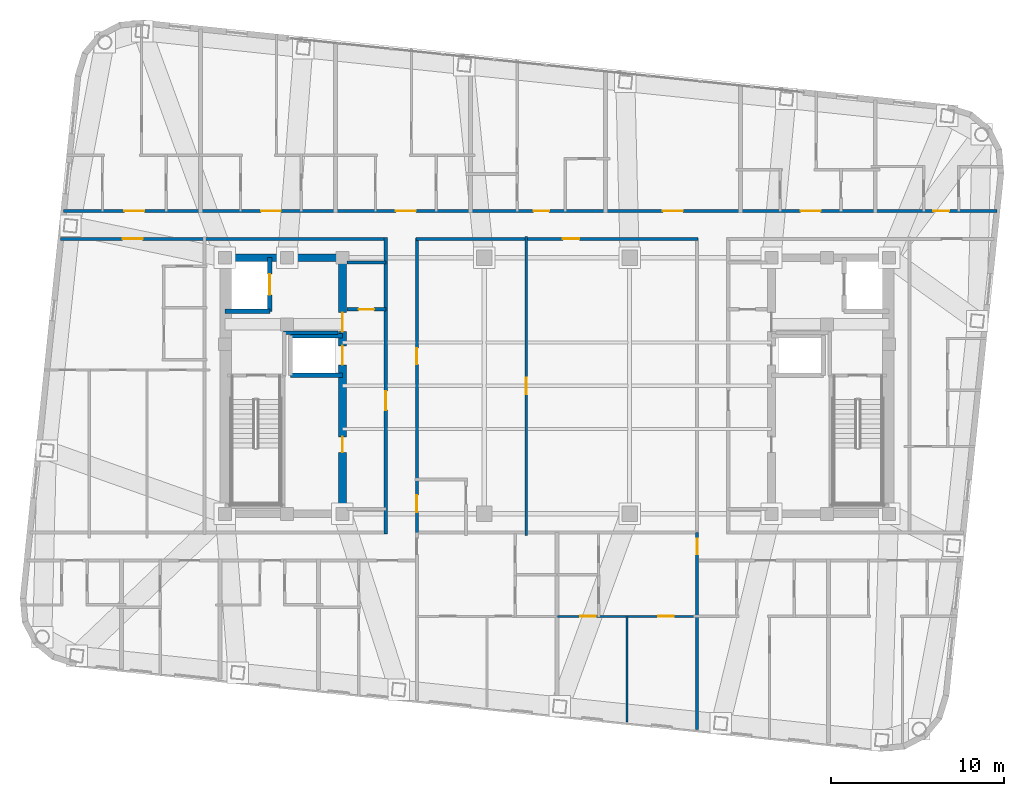
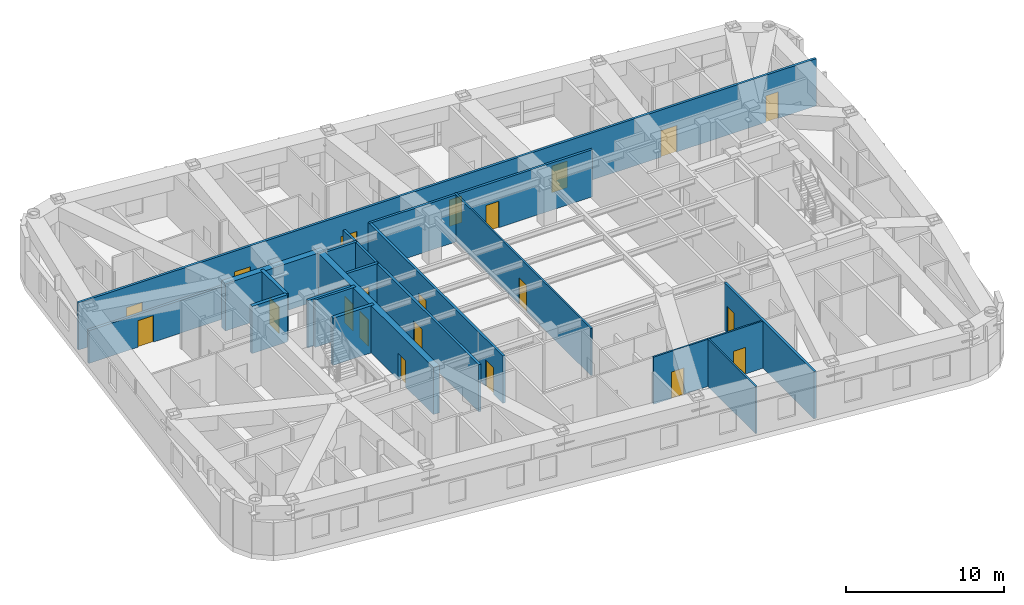
# One storey, part 10 of 16: 21 doors, 18 walls, 21 openings.
"""IFC4 building model written with IfcOpenShell, lengths in metres."""

from ifc_helpers import new_model, si_unit, direction, frame, frame_2d, origin, place, context, subcontext, project, spatial, rectangle, extrude, material, layer, layer_set, type_object, element, fill, save


model = new_model("IFC4")

# Units and contexts
model_context = context("Model", 3, precision=1e-05, world=origin(), true_north=direction((0.0, 1.0)))
body_context = subcontext(model_context, "Body", "Model", "MODEL_VIEW")
ifc_project = project(units=[si_unit("LENGTHUNIT", "METRE"), si_unit("AREAUNIT", "SQUARE_METRE"), si_unit("VOLUMEUNIT", "CUBIC_METRE"), si_unit("PLANEANGLEUNIT", "RADIAN"), si_unit("MASSUNIT", "GRAM", prefix="KILO")], contexts=[model_context])

# Site, building, storey
site_placement = place(None, origin())
site = spatial("IfcSite", under=ifc_project, at=site_placement, CompositionType="ELEMENT")
building_placement = place(site_placement, origin())
building = spatial("IfcBuilding", under=site, at=building_placement, Name="Voryun Gate Residences", CompositionType="ELEMENT")
storey_placement = place(building_placement, frame((0.0, 0.0, 260.0)))
storey = spatial("IfcBuildingStorey", under=building, at=storey_placement, Name="L64", CompositionType="ELEMENT", Elevation=260.0)

# Wall
ifc_material_1 = material(Name="Concrete C50/60", Category="concrete")
ifc_layer_1 = layer(ifc_material_1, 0.449951171875, Name="CW_CORE_450")
ifc_layer_set_1 = layer_set([ifc_layer_1], Name="Concrete C50/60")
wall_type_1 = type_object("IfcWallType", Name="CW_CORE_450", PredefinedType="SHEAR", material=ifc_layer_set_1)
wall_1_placement = place(storey_placement, frame((-19.425048828125, 7.39990234375, 0.0), z_axis=(0.0, 0.0, 1.0), x_axis=(1.0, 0.0, 0.0)))
element("IfcWall", 1, at=wall_1_placement, inside=storey, type_object=wall_type_1, Name="L64 Core shear wall CW-L64-WN", PredefinedType="SHEAR", context=body_context, shape_type="SweptSolid", body=[
    extrude(rectangle(XDim=7.25, YDim=0.449951171875, at=frame_2d((3.625, 0.0))), origin(), (0.0, 0.0, 1.0), 3.64990234375),
])

# Wall, openings, doors
wall_2_placement = place(storey_placement, frame((-12.39990234375, -7.39990234375, 0.0), z_axis=(0.0, 0.0, 1.0), x_axis=(0.0, 1.0, 0.0)))
wall_2 = element("IfcWall", 2, at=wall_2_placement, inside=storey, type_object=wall_type_1, Name="L64 Core shear wall CW-L64-WE", PredefinedType="SHEAR", context=body_context, shape_type="SweptSolid", body=[
    extrude(rectangle(XDim=14.7998046875, YDim=0.449951171875, at=frame_2d((7.39990234375, 0.0))), origin(), (0.0, 0.0, 1.0), 3.64990234375),
])
opening_1_placement = place(wall_2_placement, frame((8.60009765625, 0.0, 0.0)))
opening_1 = element("IfcOpeningElement", 3, at=opening_1_placement, cuts=wall_2, Name="Opening LD2", PredefinedType="OPENING", context=body_context, shape_type="SweptSolid", body=[
    extrude(rectangle(XDim=1.10009765625, YDim=2.050048828125, at=frame_2d((0.550048828125, 1.02490234375))), frame((0.0, 0.235107421875, 0.0), z_axis=(0.0, -1.0, 0.0), x_axis=(1.0, 0.0, 0.0)), (0.0, 0.0, 1.0), 0.469970703125),
])
opening_2_placement = place(wall_2_placement, frame((10.530029296875, 0.0, 0.0)))
opening_2 = element("IfcOpeningElement", 4, at=opening_2_placement, cuts=wall_2, Name="Opening D-FD60-2", PredefinedType="OPENING", context=body_context, shape_type="SweptSolid", body=[
    extrude(rectangle(XDim=1.10009765625, YDim=2.050048828125, at=frame_2d((0.550048828125, 1.02490234375))), frame((0.0, 0.235107421875, 0.0), z_axis=(0.0, -1.0, 0.0), x_axis=(1.0, 0.0, 0.0)), (0.0, 0.0, 1.0), 0.469970703125),
])
opening_3_placement = place(wall_2_placement, frame((3.550048828125, 0.0, 0.0)))
opening_3 = element("IfcOpeningElement", 5, at=opening_3_placement, cuts=wall_2, Name="Opening D-FD60-4", PredefinedType="OPENING", context=body_context, shape_type="SweptSolid", body=[
    extrude(rectangle(XDim=0.89990234375, YDim=2.050048828125, at=frame_2d((0.449951171875, 1.02490234375))), frame((0.0, 0.235107421875, 0.0), z_axis=(0.0, -1.0, 0.0), x_axis=(1.0, 0.0, 0.0)), (0.0, 0.0, 1.0), 0.469970703125),
])
ifc_material_2 = material(Name="Painted steel fire door", Category="steel")
door_type_1 = type_object("IfcDoorType", Name="DR_FD60_FFLOB_1100", OperationType="NOTDEFINED", PredefinedType="DOOR", material=ifc_material_2)
door_1_placement = place(opening_2_placement, origin())
door_1 = element("IfcDoor", 6, at=door_1_placement, inside=storey, type_object=door_type_1, Name="Door DR-L64-CLOB-W", OperationType="SINGLE_SWING_LEFT", OverallHeight=2.050048828125, OverallWidth=1.10009765625, PredefinedType="DOOR", context=body_context, shape_type="SweptSolid", body=[
    extrude(rectangle(XDim=1.10009765625, YDim=2.050048828125, at=frame_2d((0.550048828125, 1.02490234375))), frame((0.0, 0.02490234375, 0.0), z_axis=(0.0, -1.0, 0.0), x_axis=(1.0, 0.0, 0.0)), (0.0, 0.0, 1.0), 0.050048828125),
])
fill(opening_2, door_1)
ifc_material_3 = material(Name="Painted steel fire door", Category="steel")
door_type_2 = type_object("IfcDoorType", Name="DR_FD60_RISER_900", OperationType="NOTDEFINED", PredefinedType="DOOR", material=ifc_material_3)
door_2_placement = place(opening_3_placement, origin())
door_2 = element("IfcDoor", 7, at=door_2_placement, inside=storey, type_object=door_type_2, Name="Door DR-L64-RECW-HI", OperationType="SINGLE_SWING_LEFT", OverallHeight=2.050048828125, OverallWidth=0.89990234375, PredefinedType="DOOR", context=body_context, shape_type="SweptSolid", body=[
    extrude(rectangle(XDim=0.89990234375, YDim=2.050048828125, at=frame_2d((0.449951171875, 1.02490234375))), frame((0.0, 0.02490234375, 0.0), z_axis=(0.0, -1.0, 0.0), x_axis=(1.0, 0.0, 0.0)), (0.0, 0.0, 1.0), 0.050048828125),
])
fill(opening_3, door_2)
ifc_material_4 = material(Name="Anodised aluminium", Category="aluminium")
door_type_3 = type_object("IfcDoorType", Name="DR_LD_PASS_1100", OperationType="NOTDEFINED", PredefinedType="DOOR", material=ifc_material_4)
door_3_placement = place(opening_1_placement, origin())
door_3 = element("IfcDoor", 8, at=door_3_placement, inside=storey, type_object=door_type_3, Name="Lift EL-P7 sliding landing door L64", OperationType="SLIDING_TO_LEFT", OverallHeight=2.050048828125, OverallWidth=1.10009765625, PredefinedType="DOOR", context=body_context, shape_type="SweptSolid", body=[
    extrude(rectangle(XDim=1.10009765625, YDim=2.050048828125, at=frame_2d((0.550048828125, 1.02490234375))), frame((0.0, 0.02490234375, 0.0), z_axis=(0.0, -1.0, 0.0), x_axis=(1.0, 0.0, 0.0)), (0.0, 0.0, 1.0), 0.050048828125),
])
fill(opening_1, door_3)

# Wall
ifc_material_5 = material(Name="Gypsum acoustic fireboard")
ifc_layer_2 = layer(ifc_material_5, 0.179931640625, Name="W_CORR_RATED_180")
ifc_layer_set_2 = layer_set([ifc_layer_2], Name="Gypsum acoustic fireboard")
wall_type_2 = type_object("IfcWallType", Name="W_CORR_RATED_180", PredefinedType="PARTITIONING", material=ifc_layer_set_2)
wall_3_placement = place(storey_placement, frame((-12.14990234375, 7.1201171875, 0.0), z_axis=(0.0, 0.0, 1.0), x_axis=(1.0, 0.0, 0.0)))
element("IfcWall", 9, at=wall_3_placement, inside=storey, type_object=wall_type_2, Name="Partition wall WP-L64-PLBN-W", PredefinedType="PARTITIONING", context=body_context, shape_type="SweptSolid", body=[
    extrude(rectangle(XDim=2.27001953125, YDim=0.179931640625, at=frame_2d((1.135009765625, 0.0))), origin(), (0.0, 0.0, 1.0), 3.64990234375),
])

# Wall, opening, door
wall_4_placement = place(storey_placement, frame((-9.89990234375, -8.580078125, 0.0), z_axis=(0.0, 0.0, 1.0), x_axis=(0.0, 1.0, 0.0)))
wall_4 = element("IfcWall", 10, at=wall_4_placement, inside=storey, type_object=wall_type_2, Name="Partition wall WP-L64-PLBW-FULL", PredefinedType="PARTITIONING", context=body_context, shape_type="SweptSolid", body=[
    extrude(rectangle(XDim=17.16015625, YDim=0.179931640625, at=frame_2d((8.580078125, 0.0))), origin(), (0.0, 0.0, 1.0), 3.64990234375),
])
opening_4_placement = place(wall_4_placement, frame((7.172119140625, 0.0, 0.0)))
opening_4 = element("IfcOpeningElement", 11, at=opening_4_placement, cuts=wall_4, Name="Opening D-FD60-2", PredefinedType="OPENING", context=body_context, shape_type="SweptSolid", body=[
    extrude(rectangle(XDim=1.10009765625, YDim=2.050048828125, at=frame_2d((0.550048828125, 1.02490234375))), frame((0.0, 0.099853515625, 0.0), z_axis=(0.0, -1.0, 0.0), x_axis=(1.0, 0.0, 0.0)), (0.0, 0.0, 1.0), 0.199951171875),
])
door_4_placement = place(opening_4_placement, origin())
door_4 = element("IfcDoor", 12, at=door_4_placement, inside=storey, type_object=door_type_1, Name="Door DR-L64-PLBW-COR", OperationType="SINGLE_SWING_LEFT", OverallHeight=2.050048828125, OverallWidth=1.10009765625, PredefinedType="DOOR", context=body_context, shape_type="SweptSolid", body=[
    extrude(rectangle(XDim=1.10009765625, YDim=2.050048828125, at=frame_2d((0.550048828125, 1.02490234375))), frame((0.0, 0.02490234375, 0.0), z_axis=(0.0, -1.0, 0.0), x_axis=(1.0, 0.0, 0.0)), (0.0, 0.0, 1.0), 0.050048828125),
])
fill(opening_4, door_4)

wall_5_placement = place(storey_placement, frame((-28.685546875, 8.489990234375, 0.0), z_axis=(0.0, 0.0, 1.0), x_axis=(1.0, 0.0, 0.0)))
wall_5 = element("IfcWall", 13, at=wall_5_placement, inside=storey, type_object=wall_type_2, Name="Partition wall WP-L64-CWING-WN", PredefinedType="PARTITIONING", context=body_context, shape_type="SweptSolid", body=[
    extrude(rectangle(XDim=18.8056640625, YDim=0.179931640625, at=frame_2d((9.40283203125, 0.0))), origin(), (0.0, 0.0, 1.0), 2.5400390625),
])
opening_5_placement = place(wall_5_placement, frame((3.577392578125, 0.0, 0.0)))
opening_5 = element("IfcOpeningElement", 14, at=opening_5_placement, cuts=wall_5, Name="Opening D-UNIT-1", PredefinedType="OPENING", context=body_context, shape_type="SweptSolid", body=[
    extrude(rectangle(XDim=1.14990234375, YDim=2.050048828125, at=frame_2d((0.574951171875, 1.02490234375))), frame((0.0, 0.099853515625, 0.0), z_axis=(0.0, -1.0, 0.0), x_axis=(1.0, 0.0, 0.0)), (0.0, 0.0, 1.0), 0.199951171875),
])
ifc_material_6 = material(Name="Armoured timber-clad fire door", Category="wood")
door_type_4 = type_object("IfcDoorType", Name="DR_UNIT_ENTRY_1150", OperationType="NOTDEFINED", PredefinedType="DOOR", material=ifc_material_6)
door_5_placement = place(opening_5_placement, origin())
door_5 = element("IfcDoor", 15, at=door_5_placement, inside=storey, type_object=door_type_4, Name="Door DR-L64-WE1N", OperationType="SINGLE_SWING_LEFT", OverallHeight=2.050048828125, OverallWidth=1.14990234375, PredefinedType="DOOR", context=body_context, shape_type="SweptSolid", body=[
    extrude(rectangle(XDim=1.14990234375, YDim=2.050048828125, at=frame_2d((0.574951171875, 1.02490234375))), frame((0.0, 0.02490234375, 0.0), z_axis=(0.0, -1.0, 0.0), x_axis=(1.0, 0.0, 0.0)), (0.0, 0.0, 1.0), 0.050048828125),
])
fill(opening_5, door_5)

wall_6_placement = place(storey_placement, frame((-8.14990234375, 8.489990234375, 0.0), z_axis=(0.0, 0.0, 1.0), x_axis=(1.0, 0.0, 0.0)))
wall_6 = element("IfcWall", 16, at=wall_6_placement, inside=storey, type_object=wall_type_2, Name="Partition wall WP-L64-Z3N", PredefinedType="PARTITIONING", context=body_context, shape_type="SweptSolid", body=[
    extrude(rectangle(XDim=16.2998046875, YDim=0.179931640625, at=frame_2d((8.14990234375, 0.0))), origin(), (0.0, 0.0, 1.0), 3.64990234375),
])
opening_6_placement = place(wall_6_placement, frame((8.489990234375, 0.0, 0.0)))
opening_6 = element("IfcOpeningElement", 17, at=opening_6_placement, cuts=wall_6, Name="Opening D-INT-1", PredefinedType="OPENING", context=body_context, shape_type="SweptSolid", body=[
    extrude(rectangle(XDim=0.949951171875, YDim=2.050048828125, at=frame_2d((0.47509765625, 1.02490234375))), frame((0.0, 0.099853515625, 0.0), z_axis=(0.0, -1.0, 0.0), x_axis=(1.0, 0.0, 0.0)), (0.0, 0.0, 1.0), 0.199951171875),
])
ifc_material_7 = material(Name="Architectural oak veneer")
door_type_5 = type_object("IfcDoorType", Name="DR_INT_ROOM_950", OperationType="NOTDEFINED", PredefinedType="DOOR", material=ifc_material_7)
door_6_placement = place(opening_6_placement, origin())
door_6 = element("IfcDoor", 18, at=door_6_placement, inside=storey, type_object=door_type_5, Name="Door DR-L64-CMIDZ3N", OperationType="SINGLE_SWING_LEFT", OverallHeight=2.050048828125, OverallWidth=0.949951171875, PredefinedType="DOOR", context=body_context, shape_type="SweptSolid", body=[
    extrude(rectangle(XDim=0.949951171875, YDim=2.050048828125, at=frame_2d((0.47509765625, 1.02490234375))), frame((0.0, 0.02490234375, 0.0), z_axis=(0.0, -1.0, 0.0), x_axis=(1.0, 0.0, 0.0)), (0.0, 0.0, 1.0), 0.050048828125),
])
fill(opening_6, door_6)

# Wall, openings, doors
wall_7_placement = place(storey_placement, frame((-8.10009765625, -8.530029296875, 0.0), z_axis=(0.0, 0.0, 1.0), x_axis=(0.0, 1.0, 0.0)))
wall_7 = element("IfcWall", 19, at=wall_7_placement, inside=storey, type_object=wall_type_2, Name="Partition wall WP-L64-Z3W", PredefinedType="PARTITIONING", context=body_context, shape_type="SweptSolid", body=[
    extrude(rectangle(XDim=17.06005859375, YDim=0.179931640625, at=frame_2d((8.530029296875, 0.0))), origin(), (0.0, 0.0, 1.0), 3.64990234375),
])
opening_7_placement = place(wall_7_placement, frame((1.2060546875, 0.0, 0.0)))
opening_7 = element("IfcOpeningElement", 20, at=opening_7_placement, cuts=wall_7, Name="Opening D-AWC-1", PredefinedType="OPENING", context=body_context, shape_type="SweptSolid", body=[
    extrude(rectangle(XDim=1.0, YDim=2.050048828125, at=frame_2d((0.5, 1.02490234375))), frame((0.0, 0.099853515625, 0.0), z_axis=(0.0, -1.0, 0.0), x_axis=(1.0, 0.0, 0.0)), (0.0, 0.0, 1.0), 0.199951171875),
])
opening_8_placement = place(wall_7_placement, frame((9.760986328125, 0.0, 0.0)))
opening_8 = element("IfcOpeningElement", 21, at=opening_8_placement, cuts=wall_7, Name="Opening D-INT-1", PredefinedType="OPENING", context=body_context, shape_type="SweptSolid", body=[
    extrude(rectangle(XDim=0.949951171875, YDim=2.050048828125, at=frame_2d((0.47509765625, 1.02490234375))), frame((0.0, 0.099853515625, 0.0), z_axis=(0.0, -1.0, 0.0), x_axis=(1.0, 0.0, 0.0)), (0.0, 0.0, 1.0), 0.199951171875),
])
ifc_material_8 = material(Name="Architectural oak veneer")
door_type_6 = type_object("IfcDoorType", Name="DR_ACC_WC_1000", OperationType="NOTDEFINED", PredefinedType="DOOR", material=ifc_material_8)
door_7_placement = place(opening_7_placement, origin())
door_7 = element("IfcDoor", 22, at=door_7_placement, inside=storey, type_object=door_type_6, Name="Door DR-L64-CMWC-D", OperationType="SINGLE_SWING_LEFT", OverallHeight=2.050048828125, OverallWidth=1.0, PredefinedType="DOOR", context=body_context, shape_type="SweptSolid", body=[
    extrude(rectangle(XDim=1.0, YDim=2.050048828125, at=frame_2d((0.5, 1.02490234375))), frame((0.0, 0.02490234375, 0.0), z_axis=(0.0, -1.0, 0.0), x_axis=(1.0, 0.0, 0.0)), (0.0, 0.0, 1.0), 0.050048828125),
])
fill(opening_7, door_7)
door_8_placement = place(opening_8_placement, origin())
door_8 = element("IfcDoor", 23, at=door_8_placement, inside=storey, type_object=door_type_5, Name="Door DR-L64-CMIDZ3W", OperationType="SINGLE_SWING_RIGHT", OverallHeight=2.050048828125, OverallWidth=0.949951171875, PredefinedType="DOOR", context=body_context, shape_type="SweptSolid", body=[
    extrude(rectangle(XDim=0.949951171875, YDim=2.050048828125, at=frame_2d((0.47509765625, 1.02490234375))), frame((0.0, 0.02490234375, 0.0), z_axis=(0.0, -1.0, 0.0), x_axis=(1.0, 0.0, 0.0)), (0.0, 0.0, 1.0), 0.050048828125),
])
fill(opening_8, door_8)

wall_8_placement = place(storey_placement, frame((-28.51611328125, 10.10009765625, 0.0), z_axis=(0.0, 0.0, 1.0), x_axis=(1.0, 0.0, 0.0)))
wall_8 = element("IfcWall", 24, at=wall_8_placement, inside=storey, type_object=wall_type_2, Name="Partition wall WP-L64-NCORR", PredefinedType="PARTITIONING", context=body_context, shape_type="SweptSolid", body=[
    extrude(rectangle(XDim=53.955322265625, YDim=0.179931640625, at=frame_2d((26.9775390625, 0.0))), origin(), (0.0, 0.0, 1.0), 3.64990234375),
])
opening_9_placement = place(wall_8_placement, frame((3.514892578125, 0.0, 0.0)))
opening_9 = element("IfcOpeningElement", 25, at=opening_9_placement, cuts=wall_8, Name="Opening D-UNIT-1", PredefinedType="OPENING", context=body_context, shape_type="SweptSolid", body=[
    extrude(rectangle(XDim=1.14990234375, YDim=2.050048828125, at=frame_2d((0.574951171875, 1.02490234375))), frame((0.0, 0.099853515625, 0.0), z_axis=(0.0, -1.0, 0.0), x_axis=(1.0, 0.0, 0.0)), (0.0, 0.0, 1.0), 0.199951171875),
])
opening_10_placement = place(wall_8_placement, frame((11.408447265625, 0.0, 0.0)))
opening_10 = element("IfcOpeningElement", 26, at=opening_10_placement, cuts=wall_8, Name="Opening D-UNIT-1", PredefinedType="OPENING", context=body_context, shape_type="SweptSolid", body=[
    extrude(rectangle(XDim=1.14990234375, YDim=2.050048828125, at=frame_2d((0.574951171875, 1.02490234375))), frame((0.0, 0.099853515625, 0.0), z_axis=(0.0, -1.0, 0.0), x_axis=(1.0, 0.0, 0.0)), (0.0, 0.0, 1.0), 0.199951171875),
])
opening_11_placement = place(wall_8_placement, frame((19.205078125, 0.0, 0.0)))
opening_11 = element("IfcOpeningElement", 27, at=opening_11_placement, cuts=wall_8, Name="Opening D-UNIT-1", PredefinedType="OPENING", context=body_context, shape_type="SweptSolid", body=[
    extrude(rectangle(XDim=1.14990234375, YDim=2.050048828125, at=frame_2d((0.574951171875, 1.02490234375))), frame((0.0, 0.099853515625, 0.0), z_axis=(0.0, -1.0, 0.0), x_axis=(1.0, 0.0, 0.0)), (0.0, 0.0, 1.0), 0.199951171875),
])
opening_12_placement = place(wall_8_placement, frame((27.158935546875, 0.0, 0.0)))
opening_12 = element("IfcOpeningElement", 28, at=opening_12_placement, cuts=wall_8, Name="Opening D-INT-2", PredefinedType="OPENING", context=body_context, shape_type="SweptSolid", body=[
    extrude(rectangle(XDim=0.89990234375, YDim=2.050048828125, at=frame_2d((0.449951171875, 1.02490234375))), frame((0.0, 0.099853515625, 0.0), z_axis=(0.0, -1.0, 0.0), x_axis=(1.0, 0.0, 0.0)), (0.0, 0.0, 1.0), 0.199951171875),
])
opening_13_placement = place(wall_8_placement, frame((34.641845703125, 0.0, 0.0)))
opening_13 = element("IfcOpeningElement", 29, at=opening_13_placement, cuts=wall_8, Name="Opening D-UNIT-1", PredefinedType="OPENING", context=body_context, shape_type="SweptSolid", body=[
    extrude(rectangle(XDim=1.14990234375, YDim=2.050048828125, at=frame_2d((0.574951171875, 1.02490234375))), frame((0.0, 0.099853515625, 0.0), z_axis=(0.0, -1.0, 0.0), x_axis=(1.0, 0.0, 0.0)), (0.0, 0.0, 1.0), 0.199951171875),
])
opening_14_placement = place(wall_8_placement, frame((42.605712890625, 0.0, 0.0)))
opening_14 = element("IfcOpeningElement", 30, at=opening_14_placement, cuts=wall_8, Name="Opening D-UNIT-1", PredefinedType="OPENING", context=body_context, shape_type="SweptSolid", body=[
    extrude(rectangle(XDim=1.14990234375, YDim=2.050048828125, at=frame_2d((0.574951171875, 1.02490234375))), frame((0.0, 0.099853515625, 0.0), z_axis=(0.0, -1.0, 0.0), x_axis=(1.0, 0.0, 0.0)), (0.0, 0.0, 1.0), 0.199951171875),
])
opening_15_placement = place(wall_8_placement, frame((50.279052734375, 0.0, 0.0)))
opening_15 = element("IfcOpeningElement", 31, at=opening_15_placement, cuts=wall_8, Name="Opening D-INT-2", PredefinedType="OPENING", context=body_context, shape_type="SweptSolid", body=[
    extrude(rectangle(XDim=0.89990234375, YDim=2.050048828125, at=frame_2d((0.449951171875, 1.02490234375))), frame((0.0, 0.099853515625, 0.0), z_axis=(0.0, -1.0, 0.0), x_axis=(1.0, 0.0, 0.0)), (0.0, 0.0, 1.0), 0.199951171875),
])
ifc_material_9 = material(Name="Architectural oak veneer")
door_type_7 = type_object("IfcDoorType", Name="DR_INT_BATH_900", OperationType="NOTDEFINED", PredefinedType="DOOR", material=ifc_material_9)
door_9_placement = place(opening_12_placement, origin())
door_9 = element("IfcDoor", 32, at=door_9_placement, inside=storey, type_object=door_type_7, Name="Door DR-L64-NENT-4", OperationType="SINGLE_SWING_RIGHT", OverallHeight=2.050048828125, OverallWidth=0.89990234375, PredefinedType="DOOR", context=body_context, shape_type="SweptSolid", body=[
    extrude(rectangle(XDim=0.89990234375, YDim=2.050048828125, at=frame_2d((0.449951171875, 1.02490234375))), frame((0.0, 0.02490234375, 0.0), z_axis=(0.0, -1.0, 0.0), x_axis=(1.0, 0.0, 0.0)), (0.0, 0.0, 1.0), 0.050048828125),
])
fill(opening_12, door_9)
door_10_placement = place(opening_15_placement, origin())
door_10 = element("IfcDoor", 33, at=door_10_placement, inside=storey, type_object=door_type_7, Name="Door DR-L64-NENT-7", OperationType="SINGLE_SWING_LEFT", OverallHeight=2.050048828125, OverallWidth=0.89990234375, PredefinedType="DOOR", context=body_context, shape_type="SweptSolid", body=[
    extrude(rectangle(XDim=0.89990234375, YDim=2.050048828125, at=frame_2d((0.449951171875, 1.02490234375))), frame((0.0, 0.02490234375, 0.0), z_axis=(0.0, -1.0, 0.0), x_axis=(1.0, 0.0, 0.0)), (0.0, 0.0, 1.0), 0.050048828125),
])
fill(opening_15, door_10)
door_11_placement = place(opening_9_placement, origin())
door_11 = element("IfcDoor", 34, at=door_11_placement, inside=storey, type_object=door_type_4, Name="Door DR-L64-NENT-1", OperationType="SINGLE_SWING_LEFT", OverallHeight=2.050048828125, OverallWidth=1.14990234375, PredefinedType="DOOR", context=body_context, shape_type="SweptSolid", body=[
    extrude(rectangle(XDim=1.14990234375, YDim=2.050048828125, at=frame_2d((0.574951171875, 1.02490234375))), frame((0.0, 0.02490234375, 0.0), z_axis=(0.0, -1.0, 0.0), x_axis=(1.0, 0.0, 0.0)), (0.0, 0.0, 1.0), 0.050048828125),
])
fill(opening_9, door_11)
door_12_placement = place(opening_10_placement, origin())
door_12 = element("IfcDoor", 35, at=door_12_placement, inside=storey, type_object=door_type_4, Name="Door DR-L64-NENT-2", OperationType="SINGLE_SWING_RIGHT", OverallHeight=2.050048828125, OverallWidth=1.14990234375, PredefinedType="DOOR", context=body_context, shape_type="SweptSolid", body=[
    extrude(rectangle(XDim=1.14990234375, YDim=2.050048828125, at=frame_2d((0.574951171875, 1.02490234375))), frame((0.0, 0.02490234375, 0.0), z_axis=(0.0, -1.0, 0.0), x_axis=(1.0, 0.0, 0.0)), (0.0, 0.0, 1.0), 0.050048828125),
])
fill(opening_10, door_12)
door_13_placement = place(opening_11_placement, origin())
door_13 = element("IfcDoor", 36, at=door_13_placement, inside=storey, type_object=door_type_4, Name="Door DR-L64-NENT-3", OperationType="SINGLE_SWING_LEFT", OverallHeight=2.050048828125, OverallWidth=1.14990234375, PredefinedType="DOOR", context=body_context, shape_type="SweptSolid", body=[
    extrude(rectangle(XDim=1.14990234375, YDim=2.050048828125, at=frame_2d((0.574951171875, 1.02490234375))), frame((0.0, 0.02490234375, 0.0), z_axis=(0.0, -1.0, 0.0), x_axis=(1.0, 0.0, 0.0)), (0.0, 0.0, 1.0), 0.050048828125),
])
fill(opening_11, door_13)
door_14_placement = place(opening_13_placement, origin())
door_14 = element("IfcDoor", 37, at=door_14_placement, inside=storey, type_object=door_type_4, Name="Door DR-L64-NENT-5", OperationType="SINGLE_SWING_LEFT", OverallHeight=2.050048828125, OverallWidth=1.14990234375, PredefinedType="DOOR", context=body_context, shape_type="SweptSolid", body=[
    extrude(rectangle(XDim=1.14990234375, YDim=2.050048828125, at=frame_2d((0.574951171875, 1.02490234375))), frame((0.0, 0.02490234375, 0.0), z_axis=(0.0, -1.0, 0.0), x_axis=(1.0, 0.0, 0.0)), (0.0, 0.0, 1.0), 0.050048828125),
])
fill(opening_13, door_14)
door_15_placement = place(opening_14_placement, origin())
door_15 = element("IfcDoor", 38, at=door_15_placement, inside=storey, type_object=door_type_4, Name="Door DR-L64-NENT-6", OperationType="SINGLE_SWING_RIGHT", OverallHeight=2.050048828125, OverallWidth=1.14990234375, PredefinedType="DOOR", context=body_context, shape_type="SweptSolid", body=[
    extrude(rectangle(XDim=1.14990234375, YDim=2.050048828125, at=frame_2d((0.574951171875, 1.02490234375))), frame((0.0, 0.02490234375, 0.0), z_axis=(0.0, -1.0, 0.0), x_axis=(1.0, 0.0, 0.0)), (0.0, 0.0, 1.0), 0.050048828125),
])
fill(opening_14, door_15)

# Wall, opening, door
wall_9_placement = place(storey_placement, frame((8.10009765625, -19.857177734375, 0.0), z_axis=(0.0, 0.0, 1.0), x_axis=(0.0, 1.0, 0.0)))
wall_9 = element("IfcWall", 39, at=wall_9_placement, inside=storey, type_object=wall_type_2, Name="Partition wall WP-L64-SZV-2", PredefinedType="PARTITIONING", context=body_context, shape_type="SweptSolid", body=[
    extrude(rectangle(XDim=11.3671875, YDim=0.179931640625, at=frame_2d((5.68359375, 0.0))), origin(), (0.0, 0.0, 1.0), 3.64990234375),
])
opening_16_placement = place(wall_9_placement, frame((10.116943359375, 0.0, 0.0)))
opening_16 = element("IfcOpeningElement", 40, at=opening_16_placement, cuts=wall_9, Name="Opening D-INT-2", PredefinedType="OPENING", context=body_context, shape_type="SweptSolid", body=[
    extrude(rectangle(XDim=0.89990234375, YDim=2.050048828125, at=frame_2d((0.449951171875, 1.02490234375))), frame((0.0, 0.099853515625, 0.0), z_axis=(0.0, -1.0, 0.0), x_axis=(1.0, 0.0, 0.0)), (0.0, 0.0, 1.0), 0.199951171875),
])
door_16_placement = place(opening_16_placement, origin())
door_16 = element("IfcDoor", 41, at=door_16_placement, inside=storey, type_object=door_type_7, Name="Door DR-L64-SZENT-2", OperationType="SINGLE_SWING_RIGHT", OverallHeight=2.050048828125, OverallWidth=0.89990234375, PredefinedType="DOOR", context=body_context, shape_type="SweptSolid", body=[
    extrude(rectangle(XDim=0.89990234375, YDim=2.050048828125, at=frame_2d((0.449951171875, 1.02490234375))), frame((0.0, 0.02490234375, 0.0), z_axis=(0.0, -1.0, 0.0), x_axis=(1.0, 0.0, 0.0)), (0.0, 0.0, 1.0), 0.050048828125),
])
fill(opening_16, door_16)

# Wall
ifc_material_10 = material(Name="Concrete C40/50", Category="concrete")
ifc_layer_3 = layer(ifc_material_10, 0.199951171875, Name="W_FF_LOBBY_200")
ifc_layer_set_3 = layer_set([ifc_layer_3], Name="Concrete C40/50")
wall_type_3 = type_object("IfcWallType", Name="W_FF_LOBBY_200", PredefinedType="PARTITIONING", material=ifc_layer_set_3)
wall_10_placement = place(storey_placement, frame((-15.820068359375, 3.06005859375, 0.0), z_axis=(0.0, 0.0, 1.0), x_axis=(1.0, 0.0, 0.0)))
element("IfcWall", 42, at=wall_10_placement, inside=storey, type_object=wall_type_3, Name="Partition wall WP-L64-FFPS-W", PredefinedType="PARTITIONING", context=body_context, shape_type="SweptSolid", body=[
    extrude(rectangle(XDim=3.16015625, YDim=0.199951171875, at=frame_2d((1.580078125, 0.0))), origin(), (0.0, 0.0, 1.0), 3.64990234375),
])

# Wall, opening, door
wall_11_placement = place(storey_placement, frame((-12.14990234375, 4.409912109375, 0.0), z_axis=(0.0, 0.0, 1.0), x_axis=(1.0, 0.0, 0.0)))
wall_11 = element("IfcWall", 43, at=wall_11_placement, inside=storey, type_object=wall_type_3, Name="Partition wall WP-L64-CSFLKS-W", PredefinedType="PARTITIONING", context=body_context, shape_type="SweptSolid", body=[
    extrude(rectangle(XDim=2.27001953125, YDim=0.199951171875, at=frame_2d((1.135009765625, 0.0))), origin(), (0.0, 0.0, 1.0), 3.64990234375),
])
opening_17_placement = place(wall_11_placement, frame((0.68505859375, 0.0, 0.0)))
opening_17 = element("IfcOpeningElement", 44, at=opening_17_placement, cuts=wall_11, Name="Opening D-FD60-4", PredefinedType="OPENING", context=body_context, shape_type="SweptSolid", body=[
    extrude(rectangle(XDim=0.89990234375, YDim=2.050048828125, at=frame_2d((0.449951171875, 1.02490234375))), frame((0.0, 0.110107421875, 0.0), z_axis=(0.0, -1.0, 0.0), x_axis=(1.0, 0.0, 0.0)), (0.0, 0.0, 1.0), 0.219970703125),
])
door_17_placement = place(opening_17_placement, origin())
door_17 = element("IfcDoor", 45, at=door_17_placement, inside=storey, type_object=door_type_2, Name="Door DR-L64-CSFLK-W", OperationType="SINGLE_SWING_LEFT", OverallHeight=2.050048828125, OverallWidth=0.89990234375, PredefinedType="DOOR", context=body_context, shape_type="SweptSolid", body=[
    extrude(rectangle(XDim=0.89990234375, YDim=2.050048828125, at=frame_2d((0.449951171875, 1.02490234375))), frame((0.0, 0.02490234375, 0.0), z_axis=(0.0, -1.0, 0.0), x_axis=(1.0, 0.0, 0.0)), (0.0, 0.0, 1.0), 0.050048828125),
])
fill(opening_17, door_17)

# Wall
ifc_material_11 = material(Name="Concrete C50/60", Category="concrete")
ifc_layer_4 = layer(ifc_material_11, 0.25, Name="W_SHAFT_RC250")
ifc_layer_set_4 = layer_set([ifc_layer_4], Name="Concrete C50/60")
wall_type_4 = type_object("IfcWallType", Name="W_SHAFT_RC250", PredefinedType="SOLIDWALL", material=ifc_layer_set_4)
wall_12_placement = place(storey_placement, frame((-19.199951171875, 4.300048828125, 0.0), z_axis=(0.0, 0.0, 1.0), x_axis=(1.0, 0.0, 0.0)))
element("IfcWall", 46, at=wall_12_placement, inside=storey, type_object=wall_type_4, Name="Lift shaft wall WSH-L64-EL-FF-W1-S", PredefinedType="SOLIDWALL", context=body_context, shape_type="SweptSolid", body=[
    extrude(rectangle(XDim=2.599853515625, YDim=0.25, at=frame_2d((1.2998046875, 0.0))), origin(), (0.0, 0.0, 1.0), 3.64990234375),
])

# Wall, opening, door
wall_13_placement = place(storey_placement, frame((-16.60009765625, 4.300048828125, 0.0), z_axis=(0.0, 0.0, 1.0), x_axis=(0.0, 1.0, 0.0)))
wall_13 = element("IfcWall", 47, at=wall_13_placement, inside=storey, type_object=wall_type_4, Name="Lift shaft wall WSH-L64-EL-FF-W1-E", PredefinedType="SOLIDWALL", context=body_context, shape_type="SweptSolid", body=[
    extrude(rectangle(XDim=3.099853515625, YDim=0.25, at=frame_2d((1.5498046875, 0.0))), origin(), (0.0, 0.0, 1.0), 3.64990234375),
])
opening_18_placement = place(wall_13_placement, frame((0.949951171875, 0.0, 0.0)))
opening_18 = element("IfcOpeningElement", 48, at=opening_18_placement, cuts=wall_13, Name="Opening LD1", PredefinedType="OPENING", context=body_context, shape_type="SweptSolid", body=[
    extrude(rectangle(XDim=1.199951171875, YDim=2.050048828125, at=frame_2d((0.60009765625, 1.02490234375))), frame((0.0, 0.135009765625, 0.0), z_axis=(0.0, -1.0, 0.0), x_axis=(1.0, 0.0, 0.0)), (0.0, 0.0, 1.0), 0.27001953125),
])
ifc_material_12 = material(Name="Anodised aluminium", Category="aluminium")
door_type_8 = type_object("IfcDoorType", Name="DR_LD_FF_1200", OperationType="NOTDEFINED", PredefinedType="DOOR", material=ifc_material_12)
door_18_placement = place(opening_18_placement, origin())
door_18 = element("IfcDoor", 49, at=door_18_placement, inside=storey, type_object=door_type_8, Name="Lift EL-FF-W1 sliding landing door L64", OperationType="SLIDING_TO_LEFT", OverallHeight=2.050048828125, OverallWidth=1.199951171875, PredefinedType="DOOR", context=body_context, shape_type="SweptSolid", body=[
    extrude(rectangle(XDim=1.199951171875, YDim=2.050048828125, at=frame_2d((0.60009765625, 1.02490234375))), frame((0.0, 0.02490234375, 0.0), z_axis=(0.0, -1.0, 0.0), x_axis=(1.0, 0.0, 0.0)), (0.0, 0.0, 1.0), 0.050048828125),
])
fill(opening_18, door_18)

# Walls
for number, where, z_axis, x_axis, name in (
    (50, (-15.39990234375, 0.60009765625, 0.0), (0.0, 0.0, 1.0), (1.0, 0.0, 0.0), "Lift shaft wall WSH-L64-EL-P7-S"),
    (51, (-12.39990234375, 2.89990234375, 0.0), (0.0, 0.0, 1.0), (-1.0, 0.0, 0.0), "Lift shaft wall WSH-L64-EL-P7-N"),
):
    element("IfcWall", number, at=place(storey_placement, frame(where, z_axis=z_axis, x_axis=x_axis)), inside=storey, type_object=wall_type_4, Name=name, PredefinedType="SOLIDWALL", context=body_context, shape_type="SweptSolid", body=[
        extrude(rectangle(XDim=3.0, YDim=0.25, at=frame_2d((1.5, 0.0))), origin(), (0.0, 0.0, 1.0), 3.64990234375),
    ])

# Wall, opening, door
ifc_material_13 = material(Name="Gypsum acoustic partition")
ifc_layer_5 = layer(ifc_material_13, 0.125, Name="W_UNIT_PART_125")
ifc_layer_set_5 = layer_set([ifc_layer_5], Name="Gypsum acoustic partition")
wall_type_5 = type_object("IfcWallType", Name="W_UNIT_PART_125", PredefinedType="PARTITIONING", material=ifc_layer_set_5)
wall_14_placement = place(storey_placement, frame((-1.77294921875, -8.669921875, 0.0), z_axis=(0.0, 0.0, 1.0), x_axis=(0.0, 1.0, 0.0)))
wall_14 = element("IfcWall", 52, at=wall_14_placement, inside=storey, type_object=wall_type_5, Name="Partition wall WP-L64-MIDX-0", PredefinedType="PARTITIONING", context=body_context, shape_type="SweptSolid", body=[
    extrude(rectangle(XDim=17.2900390625, YDim=0.125, at=frame_2d((8.64501953125, 0.0))), origin(), (0.0, 0.0, 1.0), 3.64990234375),
])
opening_19_placement = place(wall_14_placement, frame((8.169921875, 0.0, 0.0)))
opening_19 = element("IfcOpeningElement", 53, at=opening_19_placement, cuts=wall_14, Name="Opening D-INT-1", PredefinedType="OPENING", context=body_context, shape_type="SweptSolid", body=[
    extrude(rectangle(XDim=0.949951171875, YDim=2.050048828125, at=frame_2d((0.47509765625, 1.02490234375))), frame((0.0, 0.072509765625, 0.0), z_axis=(0.0, -1.0, 0.0), x_axis=(1.0, 0.0, 0.0)), (0.0, 0.0, 1.0), 0.14501953125),
])
door_19_placement = place(opening_19_placement, origin())
door_19 = element("IfcDoor", 54, at=door_19_placement, inside=storey, type_object=door_type_5, Name="Door DR-L64-MIDX-0", OperationType="SINGLE_SWING_LEFT", OverallHeight=2.050048828125, OverallWidth=0.949951171875, PredefinedType="DOOR", context=body_context, shape_type="SweptSolid", body=[
    extrude(rectangle(XDim=0.949951171875, YDim=2.050048828125, at=frame_2d((0.47509765625, 1.02490234375))), frame((0.0, 0.02490234375, 0.0), z_axis=(0.0, -1.0, 0.0), x_axis=(1.0, 0.0, 0.0)), (0.0, 0.0, 1.0), 0.050048828125),
])
fill(opening_19, door_19)

# Wall, openings, doors
wall_15_placement = place(storey_placement, frame((0.02001953125, -13.330078125, 0.0), z_axis=(0.0, 0.0, 1.0), x_axis=(1.0, 0.0, 0.0)))
wall_15 = element("IfcWall", 55, at=wall_15_placement, inside=storey, type_object=wall_type_5, Name="Partition wall WP-L64-SC2-HZ", PredefinedType="PARTITIONING", context=body_context, shape_type="SweptSolid", body=[
    extrude(rectangle(XDim=7.992431640625, YDim=0.125, at=frame_2d((3.99609375, 0.0))), origin(), (0.0, 0.0, 1.0), 3.64990234375),
])
opening_20_placement = place(wall_15_placement, frame((1.3232421875, 0.0, 0.0)))
opening_20 = element("IfcOpeningElement", 56, at=opening_20_placement, cuts=wall_15, Name="Opening D-INT-2", PredefinedType="OPENING", context=body_context, shape_type="SweptSolid", body=[
    extrude(rectangle(XDim=0.89990234375, YDim=2.050048828125, at=frame_2d((0.449951171875, 1.02490234375))), frame((0.0, 0.072509765625, 0.0), z_axis=(0.0, -1.0, 0.0), x_axis=(1.0, 0.0, 0.0)), (0.0, 0.0, 1.0), 0.14501953125),
])
opening_21_placement = place(wall_15_placement, frame((5.8369140625, 0.0, 0.0)))
opening_21 = element("IfcOpeningElement", 57, at=opening_21_placement, cuts=wall_15, Name="Opening D-INT-2", PredefinedType="OPENING", context=body_context, shape_type="SweptSolid", body=[
    extrude(rectangle(XDim=0.89990234375, YDim=2.050048828125, at=frame_2d((0.449951171875, 1.02490234375))), frame((0.0, 0.072509765625, 0.0), z_axis=(0.0, -1.0, 0.0), x_axis=(1.0, 0.0, 0.0)), (0.0, 0.0, 1.0), 0.14501953125),
])
door_20_placement = place(opening_20_placement, origin())
door_20 = element("IfcDoor", 58, at=door_20_placement, inside=storey, type_object=door_type_7, Name="Door DR-L64-SC2-DMB", OperationType="SINGLE_SWING_LEFT", OverallHeight=2.050048828125, OverallWidth=0.89990234375, PredefinedType="DOOR", context=body_context, shape_type="SweptSolid", body=[
    extrude(rectangle(XDim=0.89990234375, YDim=2.050048828125, at=frame_2d((0.449951171875, 1.02490234375))), frame((0.0, 0.02490234375, 0.0), z_axis=(0.0, -1.0, 0.0), x_axis=(1.0, 0.0, 0.0)), (0.0, 0.0, 1.0), 0.050048828125),
])
fill(opening_20, door_20)
door_21_placement = place(opening_21_placement, origin())
door_21 = element("IfcDoor", 59, at=door_21_placement, inside=storey, type_object=door_type_7, Name="Door DR-L64-SC2-DBD2", OperationType="SINGLE_SWING_RIGHT", OverallHeight=2.050048828125, OverallWidth=0.89990234375, PredefinedType="DOOR", context=body_context, shape_type="SweptSolid", body=[
    extrude(rectangle(XDim=0.89990234375, YDim=2.050048828125, at=frame_2d((0.449951171875, 1.02490234375))), frame((0.0, 0.02490234375, 0.0), z_axis=(0.0, -1.0, 0.0), x_axis=(1.0, 0.0, 0.0)), (0.0, 0.0, 1.0), 0.050048828125),
])
fill(opening_21, door_21)

# Wall
wall_16_placement = place(storey_placement, frame((4.050048828125, -19.431640625, 0.0), z_axis=(0.0, 0.0, 1.0), x_axis=(0.0, 1.0, 0.0)))
element("IfcWall", 60, at=wall_16_placement, inside=storey, type_object=wall_type_5, Name="Partition wall WP-L64-SC2-VBD", PredefinedType="PARTITIONING", context=body_context, shape_type="SweptSolid", body=[
    extrude(rectangle(XDim=6.1416015625, YDim=0.125, at=frame_2d((3.07080078125, 0.0))), origin(), (0.0, 0.0, 1.0), 3.64990234375),
])

save(model, "model.ifc")
